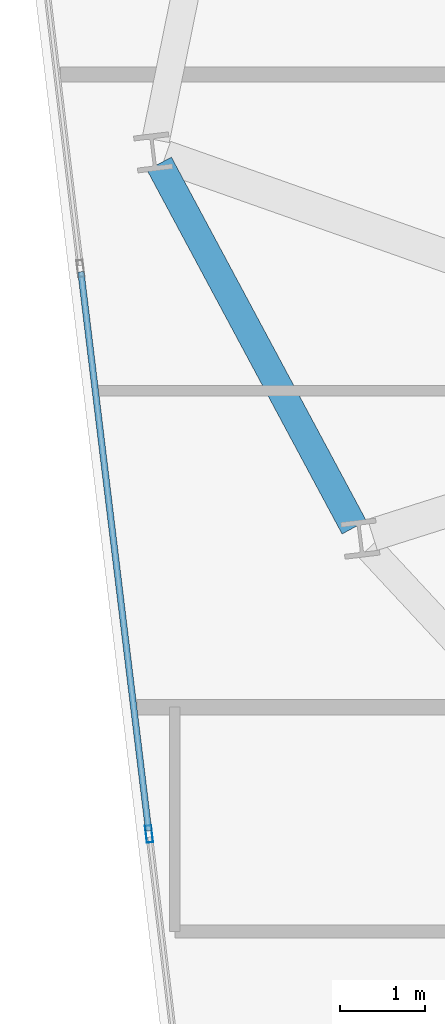
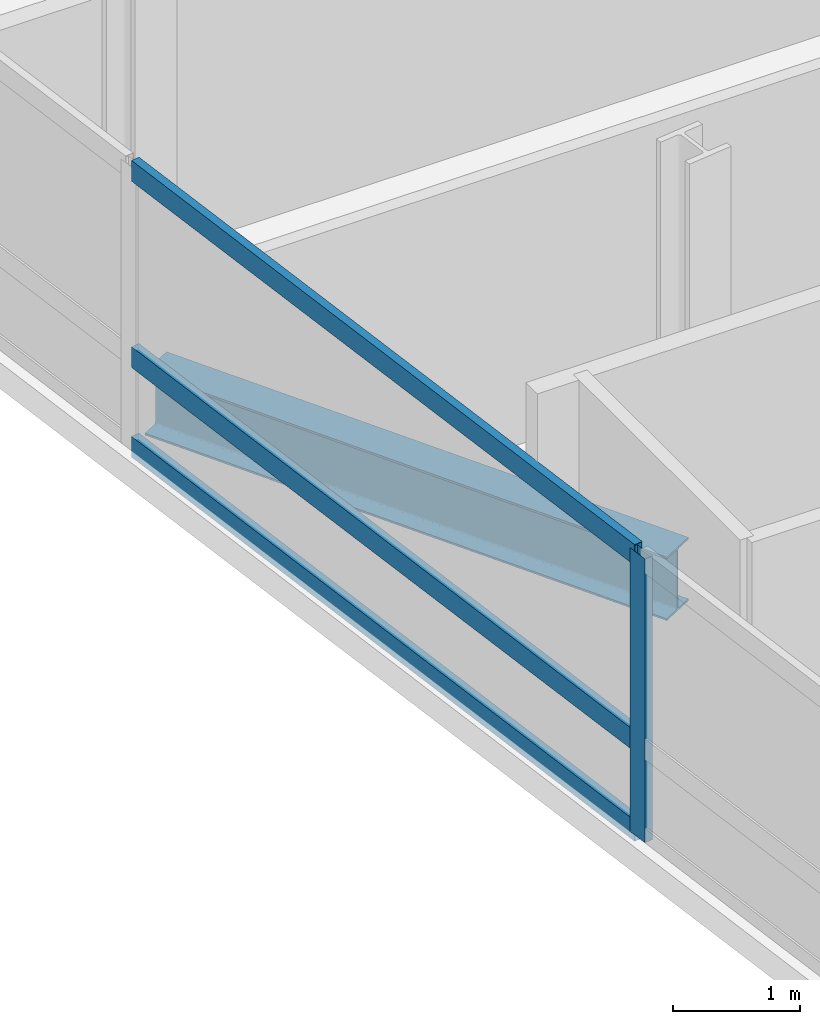
# One storey, part 4 of 22: 4 members, 1 beam, 1 element without a shape of its own.
"""IFC4 building model written with IfcOpenShell, lengths in metres."""

from ifc_helpers import new_model, si_unit, direction, frame, origin, origin_2d, place, context, subcontext, project, spatial, hollow_rectangle, i_section, extrude, material, layer, layer_set, material_profile, profile_set, type_object, element, aggregate, save


model = new_model("IFC4")

# Units and contexts
model_context = context("Model", 3, precision=1e-05, world=origin(), true_north=direction((0.0, 1.0)))
body_context = subcontext(model_context, "Body", "Model", "MODEL_VIEW")
ifc_project = project(units=[si_unit("LENGTHUNIT", "METRE"), si_unit("AREAUNIT", "SQUARE_METRE"), si_unit("VOLUMEUNIT", "CUBIC_METRE"), si_unit("PLANEANGLEUNIT", "RADIAN"), si_unit("MASSUNIT", "GRAM", prefix="KILO")], contexts=[model_context])

# Site, building, storey
site_placement = place(None, origin())
site = spatial("IfcSite", under=ifc_project, at=site_placement, CompositionType="ELEMENT")
building_placement = place(site_placement, origin())
building = spatial("IfcBuilding", under=site, at=building_placement, Name="Varnelok Gate Tower", CompositionType="ELEMENT")
storey_placement = place(building_placement, frame((0.0, 0.0, 178.300048828125)))
storey = spatial("IfcBuildingStorey", under=building, at=storey_placement, Name="L45", CompositionType="ELEMENT", Elevation=178.300048828125)

# Beam
ifc_material_1 = material(Name="Structural Steel ASTM A992 Grade 50", Category="steel")
ifc_material_profile_1 = material_profile(ifc_material_1, i_section(OverallWidth=0.323974609375, OverallDepth=0.611083984375, WebThickness=0.0126953125, FlangeThickness=0.01904296875, FilletRadius=0.01806640625, at=origin_2d()), Name="W24X104")
ifc_profile_set_1 = profile_set([ifc_material_profile_1], Name="Structural Steel ASTM A992 Grade 50")
beam_type = type_object("IfcBeamType", Name="BM-SPN-W24X104", PredefinedType="SPANDREL", material=ifc_profile_set_1)
beam_placement = place(storey_placement, frame((4.816650390625, 25.61474609375, -0.5556640625), z_axis=(0.472471917257, -0.881345725242, 0.0), x_axis=(0.881345725242, 0.472471917257, 0.0)))
element("IfcBeam", 1, at=beam_placement, inside=storey, type_object=beam_type, Name="L45 Perimeter Spandrel Beam 15", PredefinedType="SPANDREL", context=body_context, shape_type="SweptSolid", body=[
    extrude(i_section(OverallWidth=0.323974609375, OverallDepth=0.611083984375, WebThickness=0.0126953125, FlangeThickness=0.01904296875, FilletRadius=0.01806640625, at=origin_2d()), origin(), (0.0, 0.0, 1.0), 4.8408203125),
])

# Curtain wall, members
ifc_material_2 = material(Name="Anodized Aluminum Alloy 6063-T6", Category="aluminium")
ifc_layer = layer(ifc_material_2, 0.179931640625)
ifc_layer_set = layer_set([ifc_layer], Name="Anodized Aluminum Alloy 6063-T6")
curtain_wall_type = type_object("IfcCurtainWallType", Name="CW4-RESIDENCE-VISION", PredefinedType="USERDEFINED", material=ifc_layer_set)
curtain_wall_placement = place(storey_placement, origin())
curtain_wall = element("IfcCurtainWall", 2, at=curtain_wall_placement, inside=storey, type_object=curtain_wall_type, Name="L45 West End Vision Curtain Wall", ObjectType="UNITISED CURTAIN WALL", PredefinedType="USERDEFINED")
ifc_material_profile_2 = material_profile(ifc_material_2, hollow_rectangle(XDim=0.074951171875, YDim=0.199951171875, WallThickness=0.00390625, at=origin_2d()), Name="ALU200X75X4")
ifc_profile_set_2 = profile_set([ifc_material_profile_2], Name="Anodized Aluminum Alloy 6063-T6")
member_type_1 = type_object("IfcMemberType", Name="CW-MULL-200", PredefinedType="MULLION", material=ifc_profile_set_2)
member_1_placement = place(storey_placement, frame((4.697509765625, 17.7529296875, 0.0), z_axis=(0.0, 0.0, 1.0), x_axis=(-0.992732188751, -0.120344511371, 0.0)))
member_1 = element("IfcMember", 3, at=member_1_placement, type_object=member_type_1, Name="CW4 mullion 3", PredefinedType="MULLION", context=body_context, shape_type="SweptSolid", body=[
    extrude(hollow_rectangle(XDim=0.074951171875, YDim=0.199951171875, WallThickness=0.00390625, at=origin_2d()), origin(), (0.0, 0.0, 1.0), 2.72998046875),
])
ifc_material_profile_3 = material_profile(ifc_material_2, hollow_rectangle(XDim=0.074951171875, YDim=0.199951171875, WallThickness=0.00390625, at=origin_2d()), Name="ALU200X75X4")
ifc_profile_set_3 = profile_set([ifc_material_profile_3], Name="Anodized Aluminum Alloy 6063-T6")
member_type_2 = type_object("IfcMemberType", Name="CW-TRAN-200", PredefinedType="USERDEFINED", material=ifc_profile_set_3)
member_2_placement = place(storey_placement, frame((4.69287109375, 17.790283203125, 0.037353515625), z_axis=(-0.120317016873, 0.992735521401, 0.0), x_axis=(-0.992735521401, -0.120317016873, 0.0)))
member_2 = element("IfcMember", 4, at=member_2_placement, type_object=member_type_2, Name="CW4 transom 3.1", ObjectType="TRANSOM", PredefinedType="USERDEFINED", context=body_context, shape_type="SweptSolid", body=[
    extrude(hollow_rectangle(XDim=0.074951171875, YDim=0.199951171875, WallThickness=0.00390625, at=origin_2d()), origin(), (0.0, 0.0, 1.0), 6.60498046875),
])
member_3_placement = place(storey_placement, frame((4.69287109375, 17.790283203125, 0.89990234375), z_axis=(-0.120317016873, 0.992735521401, 0.0), x_axis=(-0.992735521401, -0.120317016873, 0.0)))
member_3 = element("IfcMember", 5, at=member_3_placement, type_object=member_type_2, Name="CW4 transom 3.2", ObjectType="TRANSOM", PredefinedType="USERDEFINED", context=body_context, shape_type="SweptSolid", body=[
    extrude(hollow_rectangle(XDim=0.074951171875, YDim=0.199951171875, WallThickness=0.00390625, at=origin_2d()), origin(), (0.0, 0.0, 1.0), 6.60498046875),
])
member_4_placement = place(storey_placement, frame((4.69287109375, 17.790283203125, 2.6923828125), z_axis=(-0.120317016873, 0.992735521401, 0.0), x_axis=(-0.992735521401, -0.120317016873, 0.0)))
member_4 = element("IfcMember", 6, at=member_4_placement, type_object=member_type_2, Name="CW4 transom 3.3", ObjectType="TRANSOM", PredefinedType="USERDEFINED", context=body_context, shape_type="SweptSolid", body=[
    extrude(hollow_rectangle(XDim=0.074951171875, YDim=0.199951171875, WallThickness=0.00390625, at=origin_2d()), origin(), (0.0, 0.0, 1.0), 6.60498046875),
])
aggregate(curtain_wall, [member_1, member_2, member_3, member_4])

save(model, "model.ifc")
